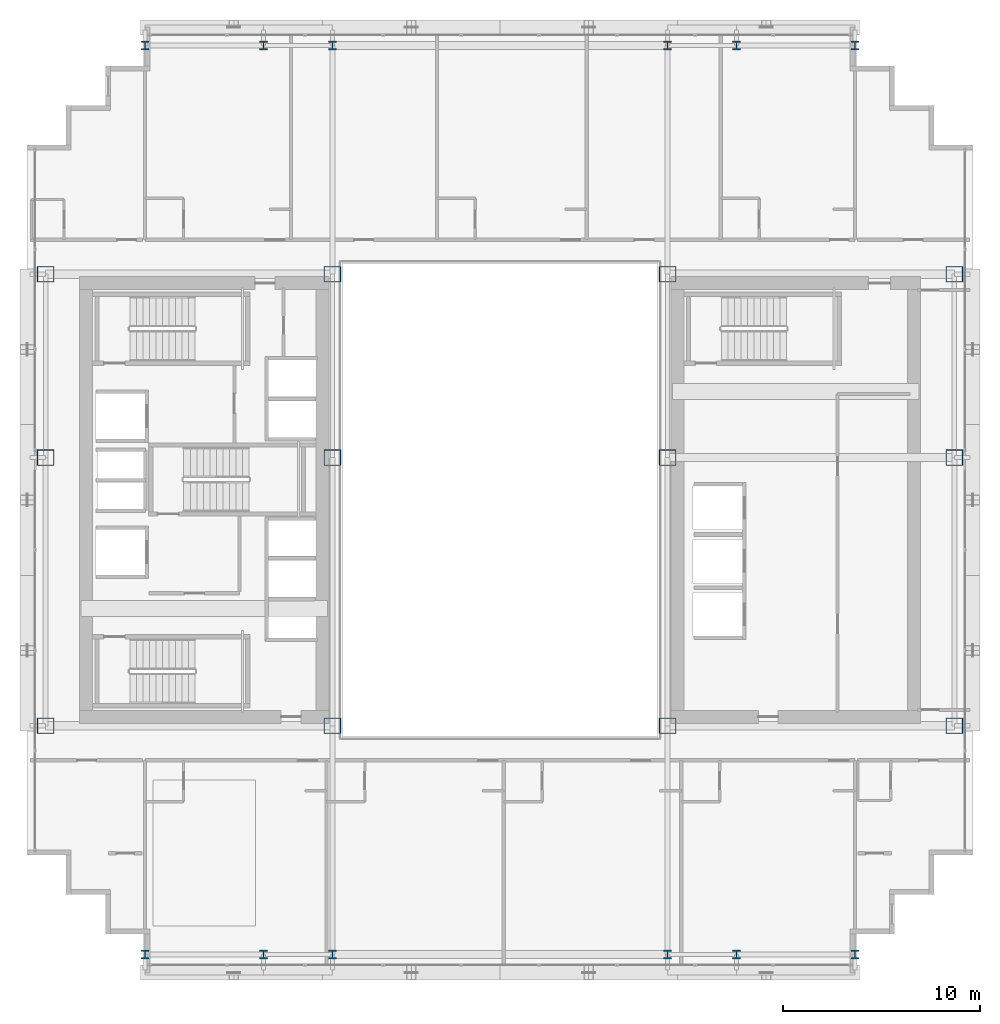
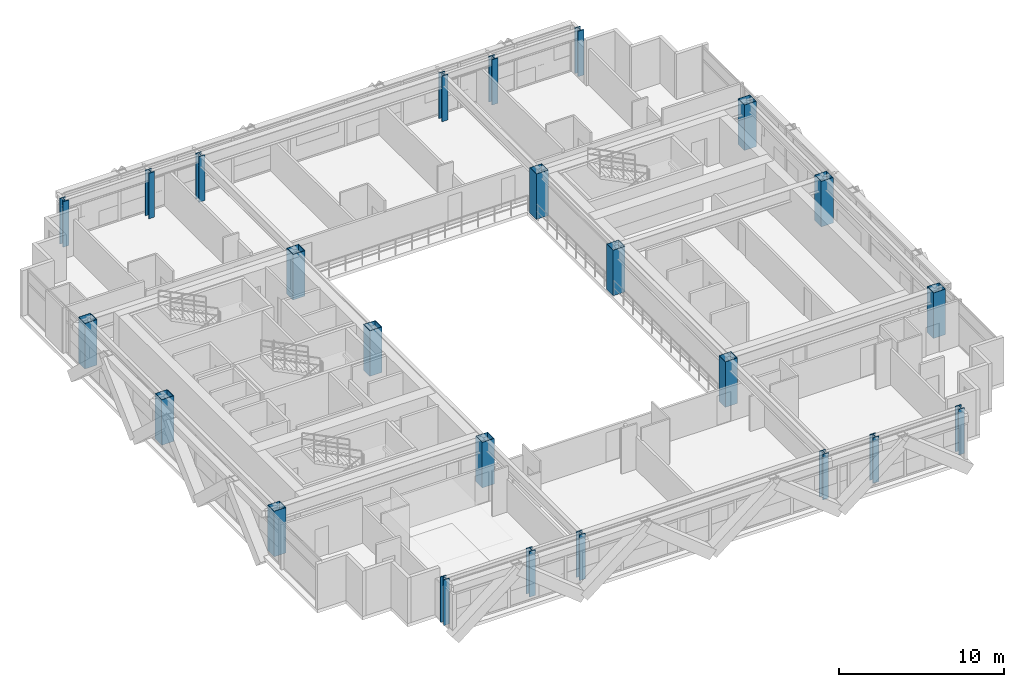
# One storey, part 1 of 34: 24 columns.
"""IFC4 building model written with IfcOpenShell, lengths in metres."""

from ifc_helpers import new_model, si_unit, direction, frame, origin, origin_2d, place, context, subcontext, project, spatial, hollow_rectangle, i_section, extrude, source, transform, mapped, material, material_profile, profile_set, type_object, element, save


model = new_model("IFC4")

# Units and contexts
model_context = context("Model", 3, precision=1e-05, world=origin(), true_north=direction((0.0, 1.0)))
body_context = subcontext(model_context, "Body", "Model", "MODEL_VIEW")
ifc_project = project(units=[si_unit("LENGTHUNIT", "METRE"), si_unit("AREAUNIT", "SQUARE_METRE"), si_unit("VOLUMEUNIT", "CUBIC_METRE"), si_unit("PLANEANGLEUNIT", "RADIAN"), si_unit("MASSUNIT", "GRAM", prefix="KILO")], contexts=[model_context])

# Site, building, storey
site_placement = place(None, origin())
site = spatial("IfcSite", under=ifc_project, at=site_placement, CompositionType="ELEMENT")
building_placement = place(site_placement, origin())
building = spatial("IfcBuilding", under=site, at=building_placement, Name="Ocotamira Hotel", CompositionType="ELEMENT")
storey_placement = place(building_placement, frame((0.0, 0.0, 111.60009765625)))
storey = spatial("IfcBuildingStorey", under=building, at=storey_placement, Name="L27", CompositionType="ELEMENT", Elevation=111.60009765625)

# Columns
ifc_material = material(Name="Steel ASTM A913 Grade 65", Category="steel")
ifc_material_profile_1 = material_profile(ifc_material, hollow_rectangle(XDim=0.85009765625, YDim=0.800048828125, WallThickness=0.031982421875, at=origin_2d()), Name="BOX800X850X32")
ifc_profile_set_1 = profile_set([ifc_material_profile_1], Name="Steel ASTM A913 Grade 65")
column_type_1 = type_object("IfcColumnType", Name="COL-BOX800", PredefinedType="COLUMN", material=ifc_profile_set_1)
shared_shape_1 = source(origin(), body_context, "Body", "SweptSolid", [
    extrude(hollow_rectangle(XDim=0.85009765625, YDim=0.800048828125, WallThickness=0.031982421875, at=origin_2d()), origin(), (0.0, 0.0, 1.0), 3.35986328125),
])
for number, where, z_axis, x_axis, name in (
    (1, (8.949951171875, 14.550048828125, 0.0), (0.0, 0.0, 1.0), (1.0, 0.0, 0.0), "L27 Column TW8_14"),
    (2, (23.5, 14.550048828125, 0.0), (0.0, 0.0, 1.0), (1.0, 0.0, 0.0), "L27 Column TW23_14"),
    (3, (40.5, 14.550048828125, 0.0), (0.0, 0.0, 1.0), (1.0, 0.0, 0.0), "L27 Column TE40_14"),
    (4, (55.050048828125, 14.550048828125, 0.0), (0.0, 0.0, 1.0), (1.0, 0.0, 0.0), "L27 Column TE55_14"),
    (5, (8.949951171875, 28.14990234375, 0.0), (0.0, 0.0, 1.0), (1.0, 0.0, 0.0), "L27 Column TW8_28"),
    (6, (23.5, 28.14990234375, 0.0), (0.0, 0.0, 1.0), (1.0, 0.0, 0.0), "L27 Column TW23_28"),
    (7, (40.5, 28.14990234375, 0.0), (0.0, 0.0, 1.0), (1.0, 0.0, 0.0), "L27 Column TE40_28"),
    (8, (55.050048828125, 28.14990234375, 0.0), (0.0, 0.0, 1.0), (1.0, 0.0, 0.0), "L27 Column TE55_28"),
    (9, (8.949951171875, 37.449951171875, 0.0), (0.0, 0.0, 1.0), (1.0, 0.0, 0.0), "L27 Column TW8_37"),
    (10, (23.5, 37.449951171875, 0.0), (0.0, 0.0, 1.0), (1.0, 0.0, 0.0), "L27 Column TW23_37"),
    (11, (40.5, 37.449951171875, 0.0), (0.0, 0.0, 1.0), (1.0, 0.0, 0.0), "L27 Column TE40_37"),
    (12, (55.050048828125, 37.449951171875, 0.0), (0.0, 0.0, 1.0), (1.0, 0.0, 0.0), "L27 Column TE55_37"),
):
    element("IfcColumn", number, at=place(storey_placement, frame(where, z_axis=z_axis, x_axis=x_axis)), inside=storey, type_object=column_type_1, Name=name, PredefinedType="COLUMN", context=body_context, shape_type="MappedRepresentation", body=[
        mapped(shared_shape_1, transform((0.0, 0.0, 0.0), scale=1.0)),
    ])
ifc_material_profile_2 = material_profile(ifc_material, i_section(OverallWidth=0.412109375, OverallDepth=0.43505859375, WebThickness=0.035888671875, FlangeThickness=0.057373046875, FilletRadius=0.02490234375, at=origin_2d()), Name="W14X311")
ifc_profile_set_2 = profile_set([ifc_material_profile_2], Name="Steel ASTM A913 Grade 65")
column_type_2 = type_object("IfcColumnType", Name="COL-W14X311", PredefinedType="COLUMN", material=ifc_profile_set_2)
shared_shape_2 = source(origin(), body_context, "Body", "SweptSolid", [
    extrude(i_section(OverallWidth=0.412109375, OverallDepth=0.43505859375, WebThickness=0.035888671875, FlangeThickness=0.057373046875, FilletRadius=0.02490234375, at=origin_2d()), origin(), (0.0, 0.0, 1.0), 3.35986328125),
])
for number, where, z_axis, x_axis, name in (
    (13, (14.0, 2.949951171875, 0.0), (0.0, 0.0, 1.0), (1.0, 0.0, 0.0), "L27 Column NSP1_14"),
    (14, (20.0, 2.949951171875, 0.0), (0.0, 0.0, 1.0), (1.0, 0.0, 0.0), "L27 Column NSP1_20"),
    (15, (23.5, 2.949951171875, 0.0), (0.0, 0.0, 1.0), (1.0, 0.0, 0.0), "L27 Column NSP1_23"),
    (16, (40.5, 2.949951171875, 0.0), (0.0, 0.0, 1.0), (1.0, 0.0, 0.0), "L27 Column NSP1_40"),
    (17, (44.0, 2.949951171875, 0.0), (0.0, 0.0, 1.0), (1.0, 0.0, 0.0), "L27 Column NSP1_44"),
    (18, (50.0, 2.949951171875, 0.0), (0.0, 0.0, 1.0), (1.0, 0.0, 0.0), "L27 Column NSP1_50"),
    (19, (14.0, 49.050048828125, 0.0), (0.0, 0.0, 1.0), (1.0, 0.0, 0.0), "L27 Column NSP2_14"),
    (20, (20.0, 49.050048828125, 0.0), (0.0, 0.0, 1.0), (1.0, 0.0, 0.0), "L27 Column NSP2_20"),
    (21, (23.5, 49.050048828125, 0.0), (0.0, 0.0, 1.0), (1.0, 0.0, 0.0), "L27 Column NSP2_23"),
    (22, (40.5, 49.050048828125, 0.0), (0.0, 0.0, 1.0), (1.0, 0.0, 0.0), "L27 Column NSP2_40"),
    (23, (44.0, 49.050048828125, 0.0), (0.0, 0.0, 1.0), (1.0, 0.0, 0.0), "L27 Column NSP2_44"),
    (24, (50.0, 49.050048828125, 0.0), (0.0, 0.0, 1.0), (1.0, 0.0, 0.0), "L27 Column NSP2_50"),
):
    element("IfcColumn", number, at=place(storey_placement, frame(where, z_axis=z_axis, x_axis=x_axis)), inside=storey, type_object=column_type_2, Name=name, PredefinedType="COLUMN", context=body_context, shape_type="MappedRepresentation", body=[
        mapped(shared_shape_2, transform((0.0, 0.0, 0.0), scale=1.0)),
    ])

save(model, "model.ifc")
